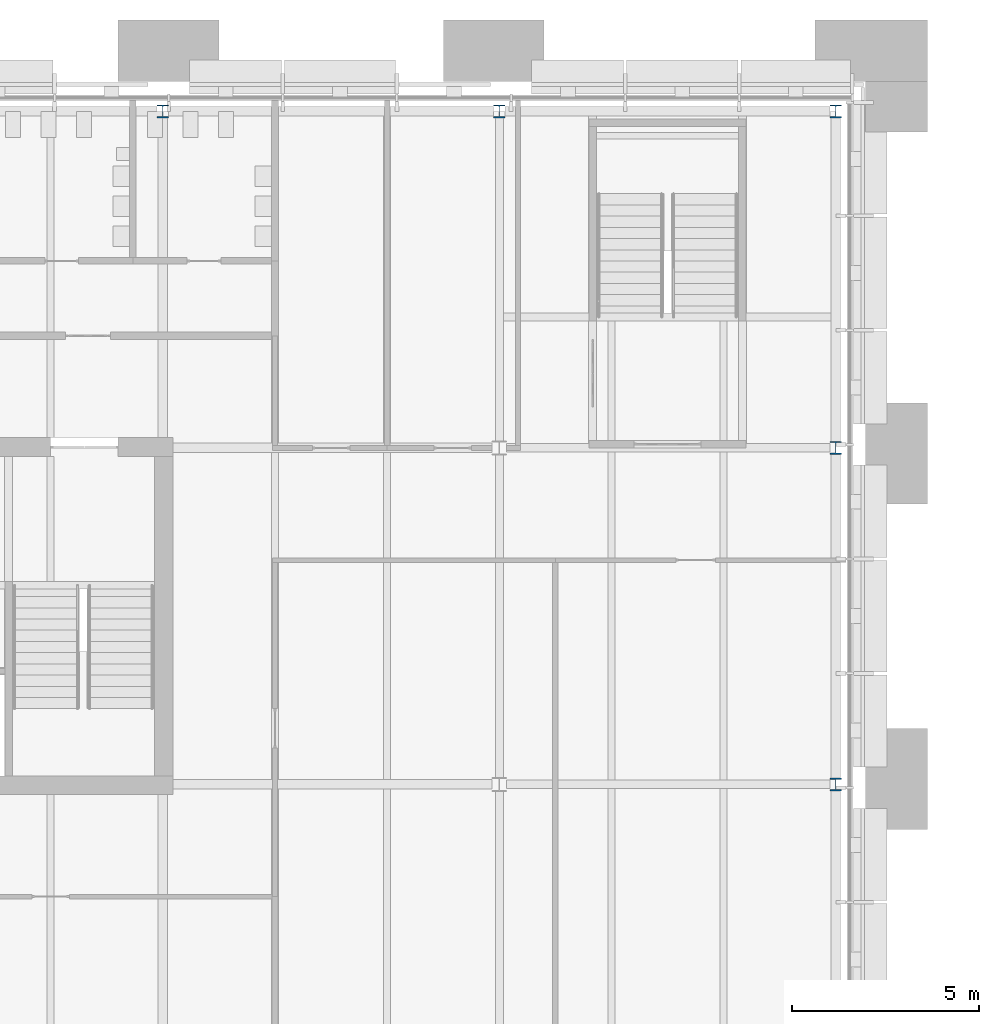
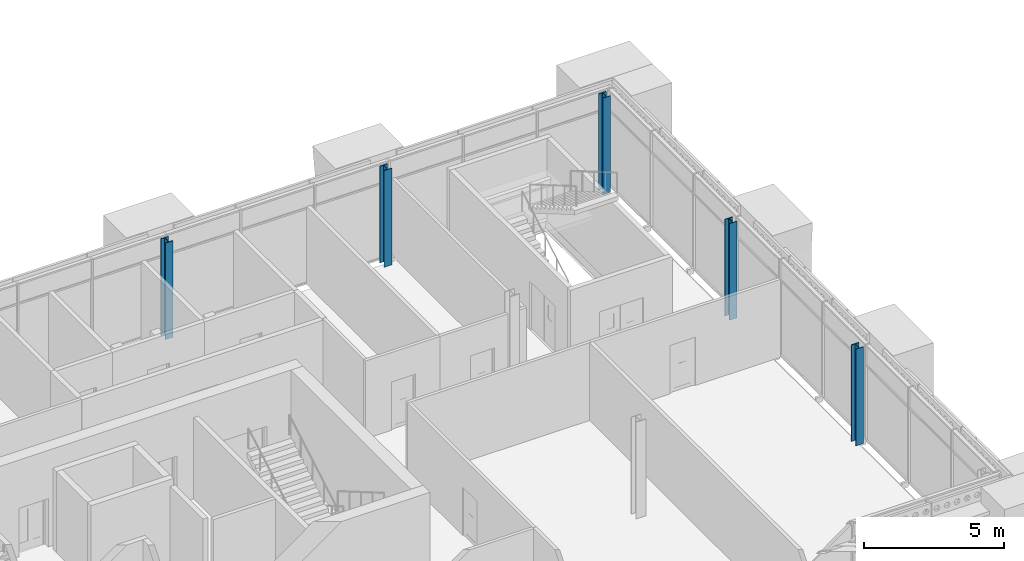
# One storey, part 9 of 37: 5 columns.
"""IFC4 building model written with IfcOpenShell, lengths in metres."""

import ifcopenshell
import ifcopenshell.guid

model = None  # the IFC model being written
_history = None  # IfcOwnerHistory: only IFC2X3 demands one
_inside = {}  # id of a spatial element -> (the spatial element, [elements in it])
_under = {}  # id of a project, library or spatial element -> (it, [spatial elements below it])
_declared = {}  # id of a project -> (the project, [libraries it declares])
_typed = {}  # id of a type object -> (the type object, [elements of that type])
_made_of = {}  # id of a material, layer set ... -> (it, [elements and type objects made of it])


def new_model(schema):
    """Start an empty IFC model of exactly this schema.

    Asked for "IFC4X3", IfcOpenShell would pick the latest addendum, in which some entities
    have other attributes; the version numbers below select the first issue.
    IFC2X3 requires an IfcOwnerHistory on every rooted entity: one is made here for all.
    """
    global model, _history
    if schema == "IFC4X3":
        model = ifcopenshell.file(schema_version=(4, 3, 0, 0))
    else:
        model = ifcopenshell.file(schema=schema)
    _inside.clear()
    _under.clear()
    _declared.clear()
    _typed.clear()
    _made_of.clear()
    _history = None
    if model.schema == "IFC2X3":
        org = make("IfcOrganization", Name="unknown")
        user = make(
            "IfcPersonAndOrganization",
            ThePerson=make("IfcPerson", FamilyName="unknown"),
            TheOrganization=org,
        )
        app = make(
            "IfcApplication",
            ApplicationDeveloper=org,
            Version="unknown",
            ApplicationFullName="unknown",
            ApplicationIdentifier="unknown",
        )
        _history = make(
            "IfcOwnerHistory",
            OwningUser=user,
            OwningApplication=app,
            ChangeAction="ADDED",
            CreationDate=0,
        )
    return model


def make(cls, **values):
    """One entity of the class cls with the attributes given. An attribute that is None is left unset."""
    return model.create_entity(
        cls, **{name: value for name, value in values.items() if value is not None}
    )


def rooted(cls, **values):
    """An entity with a GlobalId (a new one), such as an element, a storey or a relation."""
    return make(cls, GlobalId=ifcopenshell.guid.new(), OwnerHistory=_history, **values)


def si_unit(unit_type, name, prefix=None):
    """IfcSIUnit, for example si_unit("LENGTHUNIT", "METRE", prefix="MILLI")."""
    return make("IfcSIUnit", UnitType=unit_type, Prefix=prefix, Name=name)


def assignment(units):
    """IfcUnitAssignment: the units of a project."""
    return None if units is None else make("IfcUnitAssignment", Units=units)


def point(xyz):
    """IfcCartesianPoint."""
    return None if xyz is None else make("IfcCartesianPoint", Coordinates=xyz)


def direction(xyz):
    """IfcDirection."""
    return None if xyz is None else make("IfcDirection", DirectionRatios=xyz)


def frame(location, z_axis=None, x_axis=None):
    """IfcAxis2Placement3D, a coordinate frame: its origin and axes. An axis left out is left unset."""
    return make(
        "IfcAxis2Placement3D",
        Location=point(location),
        Axis=direction(z_axis),
        RefDirection=direction(x_axis),
    )


def frame_2d(location, x_axis=None):
    """IfcAxis2Placement2D, a coordinate frame in the plane: its origin and x axis."""
    return make(
        "IfcAxis2Placement2D", Location=point(location), RefDirection=direction(x_axis)
    )


def origin():
    """The frame at (0, 0, 0) with its axes left unset."""
    return frame((0.0, 0.0, 0.0))


def origin_2d():
    """The frame at (0, 0) in the plane with its x axis left unset."""
    return frame_2d((0.0, 0.0))


def place(relative_to, where):
    """IfcLocalPlacement: puts the frame where relative to a parent placement (None: the world)."""
    return make(
        "IfcLocalPlacement", PlacementRelTo=relative_to, RelativePlacement=where
    )


def context(
    kind, dimensions, precision=None, world=None, true_north=None, identifier=None
):
    """IfcGeometricRepresentationContext, for example the 3D "Model" context."""
    return make(
        "IfcGeometricRepresentationContext",
        ContextIdentifier=identifier,
        ContextType=kind,
        CoordinateSpaceDimension=dimensions,
        Precision=precision,
        WorldCoordinateSystem=world,
        TrueNorth=true_north,
    )


def subcontext(parent, identifier, kind, view, scale=None):
    """IfcGeometricRepresentationSubContext, for example "Body" below "Model"."""
    return make(
        "IfcGeometricRepresentationSubContext",
        ContextIdentifier=identifier,
        ContextType=kind,
        ParentContext=parent,
        TargetScale=scale,
        TargetView=view,
    )


def project(units=None, contexts=None):
    """IfcProject with its units and contexts."""
    return rooted(
        "IfcProject",
        Name="project",
        RepresentationContexts=contexts,
        UnitsInContext=assignment(units),
    )


def spatial(cls, under=None, at=None, **own):
    """A site, building, storey or space (cls), placed at a placement, below another one or the project."""
    s = rooted(cls, ObjectPlacement=at, **own)
    if under is not None:
        _under.setdefault(under.id(), (under, []))[1].append(s)
    return s


def profile(cls, at=None, kind="AREA", **sizes):
    """A parametric profile (cls). Its sizes go by their IFC names, for example OverallWidth=200.0."""
    return make(cls, ProfileType=kind, Position=at, **sizes)


def i_section(**sizes):
    """IfcIShapeProfileDef."""
    return profile("IfcIShapeProfileDef", **sizes)


def extrude(swept, where, along, depth):
    """IfcExtrudedAreaSolid: the profile swept, set in the frame where, extruded along a direction by depth."""
    return make(
        "IfcExtrudedAreaSolid",
        SweptArea=swept,
        Position=where,
        ExtrudedDirection=direction(along),
        Depth=depth,
    )


def shape(context_of_items, identifier, shape_type, items):
    """IfcShapeRepresentation: the items that make up one representation, for example the "Body"."""
    return make(
        "IfcShapeRepresentation",
        ContextOfItems=context_of_items,
        RepresentationIdentifier=identifier,
        RepresentationType=shape_type,
        Items=items,
    )


def material(Name=None, Category=None):
    """IfcMaterial."""
    return make("IfcMaterial", Name=Name, Category=Category)


def material_profile(
    of_material, cross_section, Name=None, Category=None, Priority=None
):
    """IfcMaterialProfile: a cross section and its material."""
    return make(
        "IfcMaterialProfile",
        Name=Name,
        Material=of_material,
        Profile=cross_section,
        Priority=Priority,
        Category=Category,
    )


def profile_set(profiles, Name=None, composite=None):
    """IfcMaterialProfileSet."""
    return make(
        "IfcMaterialProfileSet",
        Name=Name,
        MaterialProfiles=profiles,
        CompositeProfile=composite,
    )


def made_of(thing, what):
    """Note that an element or type object is made of a material, layer set ...; save() writes the relation."""
    if what is not None:
        _made_of.setdefault(what.id(), (what, []))[1].append(thing)
    return thing


def type_object(cls, material=None, **own):
    """A type object (cls), such as IfcWallType, which elements share."""
    return made_of(rooted(cls, **own), material)


def element(
    cls,
    number,
    at=None,
    inside=None,
    cuts=None,
    type_object=None,
    material=None,
    context=None,
    identifier="Body",
    shape_type=None,
    held_by="IfcProductDefinitionShape",
    body=None,
    shapes=None,
    **own,
):
    """One element of the class cls, such as IfcWall. Its Tag is "e" and its number.

    at: its placement. inside: the storey or other place that contains it. cuts: it is an
    opening in that element (IfcRelVoidsElement). A single representation is given by context,
    identifier, shape_type and body (its items); several are given by shapes. held_by: the class
    of the entity that holds the representations. save() writes the other relations.
    """
    e = rooted(cls, Tag="e%d" % number, ObjectPlacement=at, **own)
    if body is not None:
        shapes = [shape(context, identifier, shape_type, body)]
    if shapes is not None:
        e.Representation = make(held_by, Representations=shapes)
    if inside is not None:
        _inside.setdefault(inside.id(), (inside, []))[1].append(e)
    if cuts is not None:
        rooted(
            "IfcRelVoidsElement", RelatingBuildingElement=cuts, RelatedOpeningElement=e
        )
    if type_object is not None:
        _typed.setdefault(type_object.id(), (type_object, []))[1].append(e)
    return made_of(e, material)


def aggregate(whole, parts):
    """IfcRelAggregates: a whole, such as a stair, and the parts it consists of."""
    return rooted("IfcRelAggregates", RelatingObject=whole, RelatedObjects=parts)


def save(model, path):
    """Write the relations noted so far, then the file.

    IfcRelAggregates (storeys below a building ...), IfcRelContainedInSpatialStructure (elements
    in a storey), IfcRelDefinesByType, IfcRelAssociatesMaterial and IfcRelDeclares: one each for
    every whole, place, type object, material and project.
    """
    for whole, parts in _under.values():
        aggregate(whole, parts)
    for where, things in _inside.values():
        rooted(
            "IfcRelContainedInSpatialStructure",
            RelatedElements=things,
            RelatingStructure=where,
        )
    for kind, things in _typed.values():
        rooted("IfcRelDefinesByType", RelatedObjects=things, RelatingType=kind)
    for what, things in _made_of.values():
        rooted("IfcRelAssociatesMaterial", RelatedObjects=things, RelatingMaterial=what)
    for by, libraries in _declared.values():
        rooted("IfcRelDeclares", RelatingContext=by, RelatedDefinitions=libraries)
    model.write(path)


model = new_model("IFC4")

# Units and contexts
model_context = context("Model", 3, precision=1e-05, world=origin(), true_north=direction((0.0, 1.0)))
body_context = subcontext(model_context, "Body", "Model", "MODEL_VIEW")
ifc_project = project(units=[si_unit("LENGTHUNIT", "METRE"), si_unit("AREAUNIT", "SQUARE_METRE"), si_unit("VOLUMEUNIT", "CUBIC_METRE"), si_unit("PLANEANGLEUNIT", "RADIAN"), si_unit("MASSUNIT", "GRAM", prefix="KILO")], contexts=[model_context])

# Site, building, storey
site_placement = place(None, origin())
site = spatial("IfcSite", under=ifc_project, at=site_placement, CompositionType="ELEMENT")
building_placement = place(site_placement, origin())
building = spatial("IfcBuilding", under=site, at=building_placement, Name="Baradari Gate Terminus", CompositionType="ELEMENT")
storey_placement = place(building_placement, frame((0.0, 0.0, 24.300048828125)))
storey = spatial("IfcBuildingStorey", under=building, at=storey_placement, Name="L05", CompositionType="ELEMENT", Elevation=24.300048828125)

# Columns
ifc_material = material(Name="Steel S355", Category="steel")
ifc_material_profile = material_profile(ifc_material, i_section(OverallWidth=0.314453125, OverallDepth=0.33984375, WebThickness=0.01904296875, FlangeThickness=0.031494140625, FilletRadius=0.01513671875, at=origin_2d()), Name="UC 305x305x198")
ifc_profile_set = profile_set([ifc_material_profile], Name="Steel S355")
column_type = type_object("IfcColumnType", Name="Operations block perimeter column C20 UC 305x305x198", PredefinedType="COLUMN", material=ifc_profile_set)
for number, where, z_axis, x_axis, name in (
    (1, (45.0, 144.0, 0.0), (0.0, 0.0, 1.0), (1.0, 0.0, 0.0), "C20 column 6-S L05"),
    (2, (54.0, 144.0, 0.0), (0.0, 0.0, 1.0), (1.0, 0.0, 0.0), "C20 column 7-S L05"),
    (3, (63.0, 126.0, 0.0), (0.0, 0.0, 1.0), (1.0, 0.0, 0.0), "C20 column 8-Q L05"),
    (4, (63.0, 135.0, 0.0), (0.0, 0.0, 1.0), (1.0, 0.0, 0.0), "C20 column 8-R L05"),
    (5, (63.0, 144.0, 0.0), (0.0, 0.0, 1.0), (1.0, 0.0, 0.0), "C20 column 8-S L05"),
):
    element("IfcColumn", number, at=place(storey_placement, frame(where, z_axis=z_axis, x_axis=x_axis)), inside=storey, type_object=column_type, Name=name, PredefinedType="COLUMN", context=body_context, shape_type="SweptSolid", body=[
        extrude(i_section(OverallWidth=0.314453125, OverallDepth=0.33984375, WebThickness=0.01904296875, FlangeThickness=0.031494140625, FilletRadius=0.01513671875, at=origin_2d()), origin(), (0.0, 0.0, 1.0), 4.199951171875),
    ])

save(model, "model.ifc")
